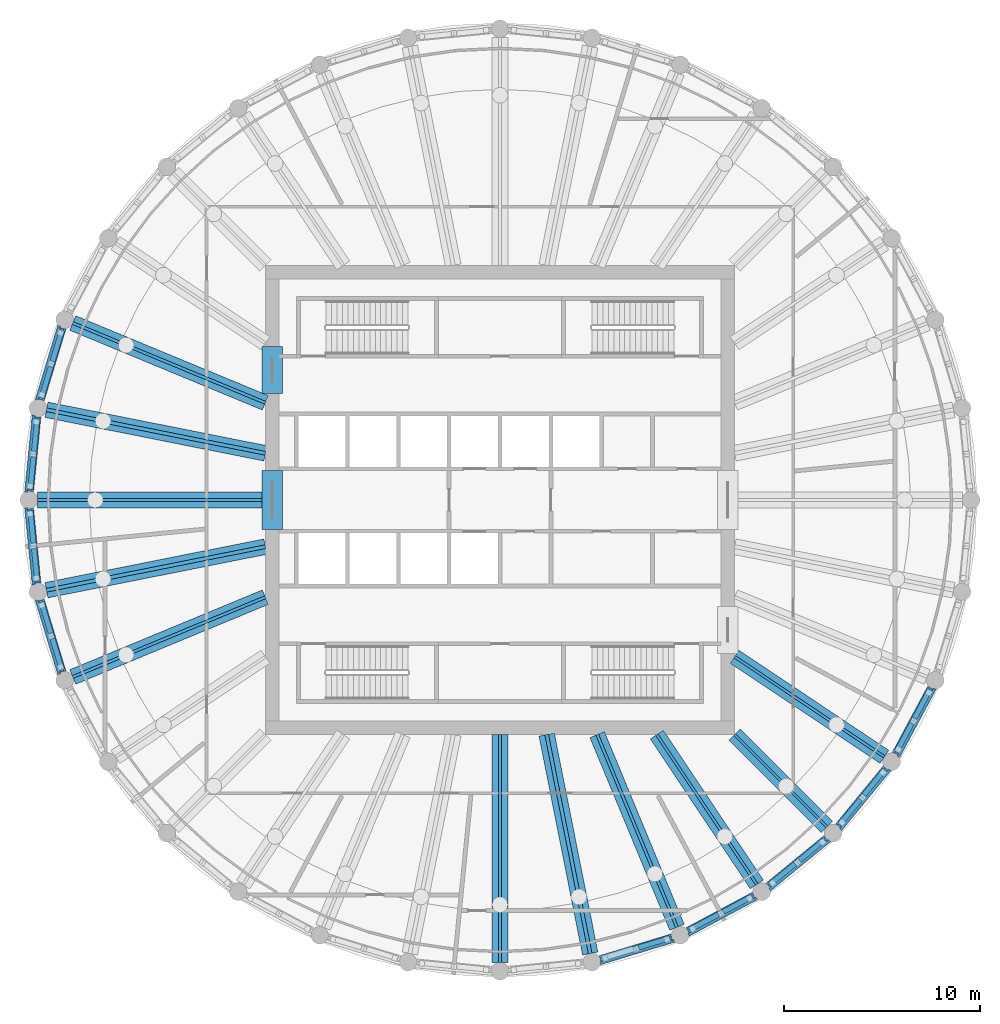
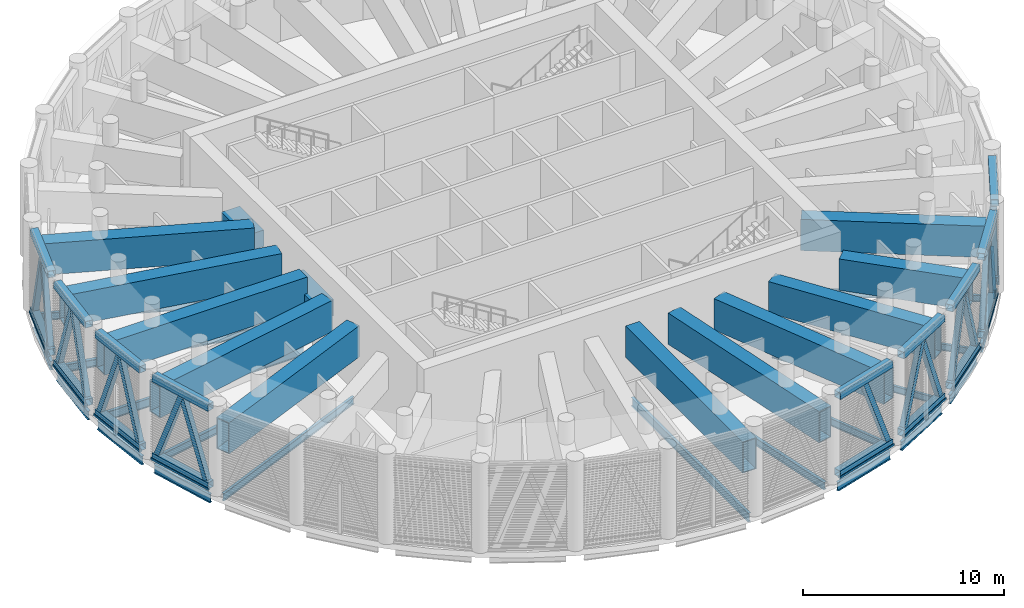
# One storey, part 2 of 19: 44 members, 33 beams, 9 elements without a shape of their own.
"""IFC4 building model written with IfcOpenShell, lengths in metres."""

from ifc_helpers import new_model, si_unit, direction, frame, origin, origin_2d, place, context, subcontext, project, spatial, rectangle, hollow_rectangle, i_section, extrude, material, material_profile, profile_set, type_object, element, aggregate, save


model = new_model("IFC4")

# Units and contexts
model_context = context("Model", 3, precision=1e-05, world=origin(), true_north=direction((0.0, 1.0)))
body_context = subcontext(model_context, "Body", "Model", "MODEL_VIEW")
ifc_project = project(units=[si_unit("LENGTHUNIT", "METRE"), si_unit("AREAUNIT", "SQUARE_METRE"), si_unit("VOLUMEUNIT", "CUBIC_METRE"), si_unit("PLANEANGLEUNIT", "RADIAN"), si_unit("MASSUNIT", "GRAM", prefix="KILO")], contexts=[model_context])

# Site, building, storey
site_placement = place(None, origin())
site = spatial("IfcSite", under=ifc_project, at=site_placement, CompositionType="ELEMENT")
building_placement = place(site_placement, origin())
building = spatial("IfcBuilding", under=site, at=building_placement, Name="Corvane Civic Tower", CompositionType="ELEMENT")
storey_placement = place(building_placement, frame((0.0, 0.0, 319.0)))
storey = spatial("IfcBuildingStorey", under=building, at=storey_placement, Name="L76", CompositionType="ELEMENT", Elevation=319.0)

# Members
ifc_material_1 = material(Name="Steel ASTM A500 Gr C", Category="steel")
ifc_material_profile_1 = material_profile(ifc_material_1, hollow_rectangle(XDim=0.406494140625, YDim=0.406494140625, WallThickness=0.0146484375, at=origin_2d()), Name="HSS16X16X5/8")
ifc_profile_set_1 = profile_set([ifc_material_profile_1], Name="Steel ASTM A500 Gr C")
member_type_1 = type_object("IfcMemberType", Name="BELT CHORD HSS16X16X5/8", PredefinedType="CHORD", material=ifc_profile_set_1)
for number, where, z_axis, x_axis, name in (
    (1, (22.05322265625, -9.61962890625, 4.94677734375), (-0.471409804487, -0.881914279413, 0.0), (0.881914279413, -0.471409804487, 0.0), "Belt truss BT-L76"),
    (2, (22.05322265625, -9.61962890625, 0.203125), (-0.471409804487, -0.881914279413, 0.0), (0.881914279413, -0.471409804487, 0.0), "Belt truss BT-L76"),
):
    element("IfcMember", number, at=place(storey_placement, frame(where, z_axis=z_axis, x_axis=x_axis)), inside=storey, type_object=member_type_1, Name=name, PredefinedType="CHORD", context=body_context, shape_type="SweptSolid", body=[
        extrude(hollow_rectangle(XDim=0.406494140625, YDim=0.406494140625, WallThickness=0.0146484375, at=origin_2d()), origin(), (0.0, 0.0, 1.0), 3.82421875),
    ])
for number, where, z_axis, x_axis, name in (
    (3, (19.7529296875, -13.737060546875, 4.94677734375), (-0.634408562057, -0.772997914867, 0.0), (0.772997914867, -0.634408562057, 0.0), "Belt truss BT-L76"),
    (4, (19.7529296875, -13.737060546875, 0.203125), (-0.634408562057, -0.772997914867, 0.0), (0.772997914867, -0.634408562057, 0.0), "Belt truss BT-L76"),
    (5, (16.693359375, -17.32666015625, 4.94677734375), (-0.772997914867, -0.634408562057, 0.0), (0.634408562057, -0.772997914867, 0.0), "Belt truss BT-L76"),
    (6, (16.693359375, -17.32666015625, 0.203125), (-0.772997914867, -0.634408562057, 0.0), (0.634408562057, -0.772997914867, 0.0), "Belt truss BT-L76"),
):
    element("IfcMember", number, at=place(storey_placement, frame(where, z_axis=z_axis, x_axis=x_axis)), inside=storey, type_object=member_type_1, Name=name, PredefinedType="CHORD", context=body_context, shape_type="SweptSolid", body=[
        extrude(hollow_rectangle(XDim=0.406494140625, YDim=0.406494140625, WallThickness=0.0146484375, at=origin_2d()), origin(), (0.0, 0.0, 1.0), 3.824462890625),
    ])
for number, where, z_axis, x_axis, name in (
    (7, (12.9921875, -20.25048828125, 4.94677734375), (-0.881914279413, -0.471409804487, 0.0), (0.471409804487, -0.881914279413, 0.0), "Belt truss BT-L76"),
    (8, (12.9921875, -20.25048828125, 0.203125), (-0.881914279413, -0.471409804487, 0.0), (0.471409804487, -0.881914279413, 0.0), "Belt truss BT-L76"),
):
    element("IfcMember", number, at=place(storey_placement, frame(where, z_axis=z_axis, x_axis=x_axis)), inside=storey, type_object=member_type_1, Name=name, PredefinedType="CHORD", context=body_context, shape_type="SweptSolid", body=[
        extrude(hollow_rectangle(XDim=0.406494140625, YDim=0.406494140625, WallThickness=0.0146484375, at=origin_2d()), origin(), (0.0, 0.0, 1.0), 3.82421875),
    ])
for number, where, z_axis, x_axis, name in (
    (9, (8.7919921875, -22.39599609375, 4.94677734375), (-0.95692555902, -0.290333385085, 0.0), (0.290333385085, -0.95692555902, 0.0), "Belt truss BT-L76"),
    (10, (8.7919921875, -22.39599609375, 0.203125), (-0.95692555902, -0.290333385085, 0.0), (0.290333385085, -0.95692555902, 0.0), "Belt truss BT-L76"),
    (11, (-22.39599609375, -8.7919921875, 4.94677734375), (-0.290333385085, 0.95692555902, 0.0), (-0.95692555902, -0.290333385085, 0.0), "Belt truss BT-L76"),
    (12, (-22.39599609375, -8.7919921875, 0.203125), (-0.290333385085, 0.95692555902, 0.0), (-0.95692555902, -0.290333385085, 0.0), "Belt truss BT-L76"),
    (13, (-23.68115234375, -4.25390625, 4.94677734375), (-0.097986732007, 0.995187721162, 0.0), (-0.995187721162, -0.097986732007, 0.0), "Belt truss BT-L76"),
    (14, (-23.68115234375, -4.25390625, 0.203125), (-0.097986732007, 0.995187721162, 0.0), (-0.995187721162, -0.097986732007, 0.0), "Belt truss BT-L76"),
    (15, (-24.055908203125, 0.44775390625, 4.94677734375), (0.097986732007, 0.995187721162, 0.0), (-0.995187721162, 0.097986732007, 0.0), "Belt truss BT-L76"),
    (16, (-24.055908203125, 0.44775390625, 0.203125), (0.097986732007, 0.995187721162, 0.0), (-0.995187721162, 0.097986732007, 0.0), "Belt truss BT-L76"),
    (17, (-23.50634765625, 5.13232421875, 4.94677734375), (0.290333385085, 0.95692555902, 0.0), (-0.95692555902, 0.290333385085, 0.0), "Belt truss BT-L76"),
    (18, (-23.50634765625, 5.13232421875, 0.203125), (0.290333385085, 0.95692555902, 0.0), (-0.95692555902, 0.290333385085, 0.0), "Belt truss BT-L76"),
):
    element("IfcMember", number, at=place(storey_placement, frame(where, z_axis=z_axis, x_axis=x_axis)), inside=storey, type_object=member_type_1, Name=name, PredefinedType="CHORD", context=body_context, shape_type="SweptSolid", body=[
        extrude(hollow_rectangle(XDim=0.406494140625, YDim=0.406494140625, WallThickness=0.0146484375, at=origin_2d()), origin(), (0.0, 0.0, 1.0), 3.824462890625),
    ])
ifc_material_2 = material(Name="Steel ASTM A500 Gr C", Category="steel")
ifc_material_profile_2 = material_profile(ifc_material_2, hollow_rectangle(XDim=0.3046875, YDim=0.3046875, WallThickness=0.01171875, at=origin_2d()), Name="HSS12X12X1/2")
ifc_profile_set_2 = profile_set([ifc_material_profile_2], Name="Steel ASTM A500 Gr C")
member_type_2 = type_object("IfcMemberType", Name="BELT DIAGONAL HSS12X12X1/2", PredefinedType="BRACE", material=ifc_profile_set_2)
for number, where, z_axis, x_axis, name in (
    (19, (21.935302734375, -9.840087890625, 0.406494140625), (-0.168675059844, -0.315588987007, 0.933783869783), (0.881933774385, -0.471373331446, 0.0), "Belt truss BT-L76"),
    (20, (20.368408203125, -12.771728515625, 0.406494140625), (0.168675059844, 0.315588987007, 0.933783869783), (-0.881933774385, 0.471373331446, 0.0), "Belt truss BT-L76"),
    (21, (19.59423828125, -13.93017578125, 0.406494140625), (-0.227014556134, -0.27668548819, 0.933760960808), (0.773086296565, -0.634300857687, 0.0), "Belt truss BT-L76"),
    (22, (17.4853515625, -16.500244140625, 0.406494140625), (0.227017857387, 0.276636949162, 0.93377453959), (-0.773027198038, 0.634372880168, 0.0), "Belt truss BT-L76"),
    (23, (16.500244140625, -17.4853515625, 0.406494140625), (-0.276636949162, -0.227017857387, 0.93377453959), (0.634372880168, -0.773027198038, 0.0), "Belt truss BT-L76"),
    (24, (13.93017578125, -19.59423828125, 0.406494140625), (0.27668548819, 0.227014556134, 0.933760960808), (-0.634300857687, 0.773086296565, 0.0), "Belt truss BT-L76"),
    (25, (12.771728515625, -20.368408203125, 0.406494140625), (-0.315588987007, -0.168675059844, 0.933783869783), (0.471373331446, -0.881933774385, 0.0), "Belt truss BT-L76"),
    (26, (9.840087890625, -21.935302734375, 0.406494140625), (0.315588987007, 0.168675059844, 0.933783869783), (-0.471373331446, 0.881933774385, 0.0), "Belt truss BT-L76"),
    (27, (8.552734375, -22.468505859375, 0.406494140625), (-0.34244493108, -0.103916136415, 0.93377347669), (0.29037833686, -0.956911919396, 0.0), "Belt truss BT-L76"),
    (28, (-22.468505859375, -8.552734375, 0.406494140625), (-0.103916136415, 0.34244493108, 0.93377347669), (-0.956911919396, -0.29037833686, 0.0), "Belt truss BT-L76"),
    (29, (-23.433837890625, -5.37158203125, 0.406494140625), (0.103916136415, -0.34244493108, 0.93377347669), (0.956911919396, 0.29037833686, 0.0), "Belt truss BT-L76"),
    (30, (-23.70556640625, -4.005126953125, 0.406494140625), (-0.035058955222, 0.356161140311, 0.933766625978), (-0.995190136957, -0.097962193234, 0.0), "Belt truss BT-L76"),
    (31, (-24.031494140625, -0.696533203125, 0.406494140625), (0.035111452623, -0.356160483497, 0.933764903972), (0.995175808043, 0.098107650498, 0.0), "Belt truss BT-L76"),
    (32, (-24.031494140625, 0.696533203125, 0.406494140625), (0.035111452623, 0.356160483497, 0.933764903972), (-0.995175808043, 0.098107650498, 0.0), "Belt truss BT-L76"),
    (33, (-23.70556640625, 4.005126953125, 0.406494140625), (-0.035058955222, -0.356161140311, 0.933766625978), (0.995190136957, -0.097962193234, 0.0), "Belt truss BT-L76"),
    (34, (-23.433837890625, 5.37158203125, 0.406494140625), (0.103916136415, 0.34244493108, 0.93377347669), (-0.956911919396, 0.29037833686, 0.0), "Belt truss BT-L76"),
    (35, (-22.468505859375, 8.552734375, 0.406494140625), (-0.103916136415, -0.34244493108, 0.93377347669), (0.956911919396, -0.29037833686, 0.0), "Belt truss BT-L76"),
):
    element("IfcMember", number, at=place(storey_placement, frame(where, z_axis=z_axis, x_axis=x_axis)), inside=storey, type_object=member_type_2, Name=name, PredefinedType="BRACE", context=body_context, shape_type="SweptSolid", body=[
        extrude(hollow_rectangle(XDim=0.3046875, YDim=0.3046875, WallThickness=0.01171875, at=origin_2d()), origin(), (0.0, 0.0, 1.0), 4.644775390625),
    ])

# Beams
ifc_material_3 = material(Name="Concrete C40/50", Category="concrete")
ifc_material_profile_3 = material_profile(ifc_material_3, rectangle(XDim=1.050048828125, YDim=1.0, at=origin_2d()), Name="COUPLING BEAM 1050X1000")
ifc_profile_set_3 = profile_set([ifc_material_profile_3], Name="Concrete C40/50")
beam_type_1 = type_object("IfcBeamType", Name="COUPLING BEAM COUPLING BEAM 1050X1000", PredefinedType="BEAM", material=ifc_profile_set_3)
beam_1_placement = place(storey_placement, frame((-11.64990234375, -1.5, 2.60009765625), z_axis=(0.0, 1.0, 0.0), x_axis=(-1.0, 0.0, 0.0)))
element("IfcBeam", 36, at=beam_1_placement, inside=storey, type_object=beam_type_1, Name="BM-L76-cpl-CW-LW", PredefinedType="BEAM", context=body_context, shape_type="SweptSolid", body=[
    extrude(rectangle(XDim=1.050048828125, YDim=1.0, at=origin_2d()), origin(), (0.0, 0.0, 1.0), 3.0),
])
beam_2_placement = place(storey_placement, frame((-11.64990234375, 5.449951171875, 2.60009765625), z_axis=(0.0, 1.0, 0.0), x_axis=(-1.0, 0.0, 0.0)))
element("IfcBeam", 37, at=beam_2_placement, inside=storey, type_object=beam_type_1, Name="BM-L76-cpl-CW-WN", PredefinedType="BEAM", context=body_context, shape_type="SweptSolid", body=[
    extrude(rectangle(XDim=1.050048828125, YDim=1.0, at=origin_2d()), origin(), (0.0, 0.0, 1.0), 2.400146484375),
])
ifc_material_4 = material(Name="Steel ASTM A992 Gr 50", Category="steel")
ifc_material_profile_4 = material_profile(ifc_material_4, i_section(OverallWidth=0.165771484375, OverallDepth=0.5283203125, WebThickness=0.009765625, FlangeThickness=0.013671875, at=origin_2d()), Name="W21X50")
ifc_profile_set_4 = profile_set([ifc_material_profile_4], Name="Steel ASTM A992 Gr 50")
beam_type_2 = type_object("IfcBeamType", Name="EDGE BEAM W21X50", PredefinedType="BEAM", material=ifc_profile_set_4)
beam_3_placement = place(storey_placement, frame((22.05322265625, -9.61962890625, -0.6142578125), z_axis=(-0.471409804487, -0.881914279413, 0.0), x_axis=(0.881914279413, -0.471409804487, 0.0)))
element("IfcBeam", 38, at=beam_3_placement, inside=storey, type_object=beam_type_2, Name="BM-L76-E11", PredefinedType="BEAM", context=body_context, shape_type="SweptSolid", body=[
    extrude(i_section(OverallWidth=0.165771484375, OverallDepth=0.5283203125, WebThickness=0.009765625, FlangeThickness=0.013671875, at=origin_2d()), origin(), (0.0, 0.0, 1.0), 3.82421875),
])
for number, where, z_axis, x_axis, name in (
    (39, (19.7529296875, -13.737060546875, -0.6142578125), (-0.634408562057, -0.772997914867, 0.0), (0.772997914867, -0.634408562057, 0.0), "BM-L76-E12"),
    (40, (16.693359375, -17.32666015625, -0.6142578125), (-0.772997914867, -0.634408562057, 0.0), (0.634408562057, -0.772997914867, 0.0), "BM-L76-E13"),
):
    element("IfcBeam", number, at=place(storey_placement, frame(where, z_axis=z_axis, x_axis=x_axis)), inside=storey, type_object=beam_type_2, Name=name, PredefinedType="BEAM", context=body_context, shape_type="SweptSolid", body=[
        extrude(i_section(OverallWidth=0.165771484375, OverallDepth=0.5283203125, WebThickness=0.009765625, FlangeThickness=0.013671875, at=origin_2d()), origin(), (0.0, 0.0, 1.0), 3.824462890625),
    ])
beam_4_placement = place(storey_placement, frame((12.9921875, -20.25048828125, -0.6142578125), z_axis=(-0.881914279413, -0.471409804487, 0.0), x_axis=(0.471409804487, -0.881914279413, 0.0)))
element("IfcBeam", 41, at=beam_4_placement, inside=storey, type_object=beam_type_2, Name="BM-L76-E14", PredefinedType="BEAM", context=body_context, shape_type="SweptSolid", body=[
    extrude(i_section(OverallWidth=0.165771484375, OverallDepth=0.5283203125, WebThickness=0.009765625, FlangeThickness=0.013671875, at=origin_2d()), origin(), (0.0, 0.0, 1.0), 3.82421875),
])
for number, where, z_axis, x_axis, name in (
    (42, (8.7919921875, -22.39599609375, -0.6142578125), (-0.95692555902, -0.290333385085, 0.0), (0.290333385085, -0.95692555902, 0.0), "BM-L76-E15"),
    (43, (-22.39599609375, -8.7919921875, -0.6142578125), (-0.290333385085, 0.95692555902, 0.0), (-0.95692555902, -0.290333385085, 0.0), "BM-L76-E23"),
    (44, (-23.68115234375, -4.25390625, -0.6142578125), (-0.097986732007, 0.995187721162, 0.0), (-0.995187721162, -0.097986732007, 0.0), "BM-L76-E24"),
    (45, (-24.055908203125, 0.44775390625, -0.6142578125), (0.097986732007, 0.995187721162, 0.0), (-0.995187721162, 0.097986732007, 0.0), "BM-L76-E25"),
    (46, (-23.50634765625, 5.13232421875, -0.6142578125), (0.290333385085, 0.95692555902, 0.0), (-0.95692555902, 0.290333385085, 0.0), "BM-L76-E26"),
):
    element("IfcBeam", number, at=place(storey_placement, frame(where, z_axis=z_axis, x_axis=x_axis)), inside=storey, type_object=beam_type_2, Name=name, PredefinedType="BEAM", context=body_context, shape_type="SweptSolid", body=[
        extrude(i_section(OverallWidth=0.165771484375, OverallDepth=0.5283203125, WebThickness=0.009765625, FlangeThickness=0.013671875, at=origin_2d()), origin(), (0.0, 0.0, 1.0), 3.824462890625),
    ])
ifc_material_5 = material(Name="Steel ASTM A992 Gr 50", Category="steel")
ifc_material_profile_5 = material_profile(ifc_material_5, i_section(OverallWidth=0.140380859375, OverallDepth=0.40380859375, WebThickness=0.007080078125, FlangeThickness=0.01123046875, at=origin_2d()), Name="W16X31")
ifc_profile_set_5 = profile_set([ifc_material_profile_5], Name="Steel ASTM A992 Gr 50")
beam_type_3 = type_object("IfcBeamType", Name="FLOOR GIRDER W16X31", PredefinedType="BEAM", material=ifc_profile_set_5)
beam_5_placement = place(storey_placement, frame((12.0, -8.01806640625, -0.552001953125), z_axis=(0.831471227061, -0.555567816355, 0.0), x_axis=(0.555567816355, 0.831471227061, 0.0)))
element("IfcBeam", 47, at=beam_5_placement, inside=storey, type_object=beam_type_3, Name="BM-L76-G12", PredefinedType="BEAM", context=body_context, shape_type="SweptSolid", body=[
    extrude(i_section(OverallWidth=0.140380859375, OverallDepth=0.40380859375, WebThickness=0.007080078125, FlangeThickness=0.01123046875, at=origin_2d()), origin(), (0.0, 0.0, 1.0), 9.2177734375),
])
beam_6_placement = place(storey_placement, frame((12.0, -12.0, -0.552001953125), z_axis=(0.707106781187, -0.707106781187, 0.0), x_axis=(0.707106781187, 0.707106781187, 0.0)))
element("IfcBeam", 48, at=beam_6_placement, inside=storey, type_object=beam_type_3, Name="BM-L76-G13", PredefinedType="BEAM", context=body_context, shape_type="SweptSolid", body=[
    extrude(i_section(OverallWidth=0.140380859375, OverallDepth=0.40380859375, WebThickness=0.007080078125, FlangeThickness=0.01123046875, at=origin_2d()), origin(), (0.0, 0.0, 1.0), 6.679443359375),
])
beam_7_placement = place(storey_placement, frame((8.01806640625, -12.0, -0.552001953125), z_axis=(0.555567816355, -0.831471227061, 0.0), x_axis=(0.831471227061, 0.555567816355, 0.0)))
element("IfcBeam", 49, at=beam_7_placement, inside=storey, type_object=beam_type_3, Name="BM-L76-G14", PredefinedType="BEAM", context=body_context, shape_type="SweptSolid", body=[
    extrude(i_section(OverallWidth=0.140380859375, OverallDepth=0.40380859375, WebThickness=0.007080078125, FlangeThickness=0.01123046875, at=origin_2d()), origin(), (0.0, 0.0, 1.0), 9.2177734375),
])
ifc_material_6 = material(Name="Steel ASTM A992 Gr 50", Category="steel")
ifc_material_profile_6 = material_profile(ifc_material_6, i_section(OverallWidth=0.15283203125, OverallDepth=0.45458984375, WebThickness=0.008056640625, FlangeThickness=0.013427734375, at=origin_2d()), Name="W18X40")
ifc_profile_set_6 = profile_set([ifc_material_profile_6], Name="Steel ASTM A992 Gr 50")
beam_type_4 = type_object("IfcBeamType", Name="FLOOR GIRDER W18X40", PredefinedType="BEAM", material=ifc_profile_set_6)
for number, where, z_axis, x_axis, name in (
    (50, (4.970458984375, -12.0, -0.577392578125), (0.382694257331, -0.923875048589, 0.0), (0.923875048589, 0.382694257331, 0.0), "BM-L76-G15"),
    (51, (-12.0, -4.970458984375, -0.577392578125), (-0.923875048589, -0.382694257331, 0.0), (0.382694257331, -0.923875048589, 0.0), "BM-L76-G23"),
    (52, (-12.0, 4.970458984375, -0.577392578125), (-0.923875048589, 0.382694257331, 0.0), (-0.382694257331, -0.923875048589, 0.0), "BM-L76-G27"),
):
    element("IfcBeam", number, at=place(storey_placement, frame(where, z_axis=z_axis, x_axis=x_axis)), inside=storey, type_object=beam_type_4, Name=name, PredefinedType="BEAM", context=body_context, shape_type="SweptSolid", body=[
        extrude(i_section(OverallWidth=0.15283203125, OverallDepth=0.45458984375, WebThickness=0.008056640625, FlangeThickness=0.013427734375, at=origin_2d()), origin(), (0.0, 0.0, 1.0), 10.661376953125),
    ])
ifc_material_7 = material(Name="Steel ASTM A992 Gr 50", Category="steel")
ifc_material_profile_7 = material_profile(ifc_material_7, i_section(OverallWidth=0.1904296875, OverallDepth=0.457275390625, WebThickness=0.009033203125, FlangeThickness=0.014404296875, at=origin_2d()), Name="W18X50")
ifc_profile_set_7 = profile_set([ifc_material_profile_7], Name="Steel ASTM A992 Gr 50")
beam_type_5 = type_object("IfcBeamType", Name="FLOOR GIRDER W18X50", PredefinedType="BEAM", material=ifc_profile_set_7)
for number, where, z_axis, x_axis, name in (
    (53, (2.386962890625, -12.0, -0.57861328125), (0.195079532402, -0.980787426529, 0.0), (0.980787426529, 0.195079532402, 0.0), "BM-L76-G16"),
    (54, (-12.0, -2.386962890625, -0.57861328125), (-0.980787426529, -0.195079532402, 0.0), (0.195079532402, -0.980787426529, 0.0), "BM-L76-G24"),
    (55, (-12.0, 2.386962890625, -0.57861328125), (-0.980787426529, 0.195079532402, 0.0), (-0.195079532402, -0.980787426529, 0.0), "BM-L76-G26"),
):
    element("IfcBeam", number, at=place(storey_placement, frame(where, z_axis=z_axis, x_axis=x_axis)), inside=storey, type_object=beam_type_5, Name=name, PredefinedType="BEAM", context=body_context, shape_type="SweptSolid", body=[
        extrude(i_section(OverallWidth=0.1904296875, OverallDepth=0.457275390625, WebThickness=0.009033203125, FlangeThickness=0.014404296875, at=origin_2d()), origin(), (0.0, 0.0, 1.0), 11.414794921875),
    ])
ifc_material_8 = material(Name="Steel ASTM A992 Gr 50", Category="steel")
ifc_material_profile_8 = material_profile(ifc_material_8, i_section(OverallWidth=0.165771484375, OverallDepth=0.5283203125, WebThickness=0.009765625, FlangeThickness=0.013671875, at=origin_2d()), Name="W21X50")
ifc_profile_set_8 = profile_set([ifc_material_profile_8], Name="Steel ASTM A992 Gr 50")
beam_type_6 = type_object("IfcBeamType", Name="FLOOR GIRDER W21X50", PredefinedType="BEAM", material=ifc_profile_set_8)
for number, where, z_axis, x_axis, name in (
    (56, (0.0, -12.0, -0.6142578125), (0.0, -1.0, 0.0), (1.0, 0.0, 0.0), "BM-L76-G17"),
    (57, (-12.0, 0.0, -0.6142578125), (-1.0, 0.0, 0.0), (0.0, -1.0, 0.0), "BM-L76-G25"),
):
    element("IfcBeam", number, at=place(storey_placement, frame(where, z_axis=z_axis, x_axis=x_axis)), inside=storey, type_object=beam_type_6, Name=name, PredefinedType="BEAM", context=body_context, shape_type="SweptSolid", body=[
        extrude(i_section(OverallWidth=0.165771484375, OverallDepth=0.5283203125, WebThickness=0.009765625, FlangeThickness=0.013671875, at=origin_2d()), origin(), (0.0, 0.0, 1.0), 11.64990234375),
    ])

# Curtain wall, member
ifc_material_9 = material(Name="Anodised aluminium bronze", Category="aluminium")
curtain_wall_type = type_object("IfcCurtainWallType", Name="TOWER CW-LV LOUVRE SCREEN WALL", PredefinedType="NOTDEFINED", material=ifc_material_9)
curtain_wall_1_placement = place(storey_placement, origin())
curtain_wall_1 = element("IfcCurtainWall", 58, at=curtain_wall_1_placement, inside=storey, type_object=curtain_wall_type, Name="Louvre screen wall CW-LV L76 bay 11", PredefinedType="NOTDEFINED")
ifc_material_10 = material(Name="Anodised aluminium bronze", Category="aluminium")
ifc_material_profile_9 = material_profile(ifc_material_10, rectangle(XDim=0.139892578125, YDim=0.1201171875, at=origin_2d()), Name="TOWER CW-LV TRANSOM 140x120")
ifc_profile_set_9 = profile_set([ifc_material_profile_9], Name="Anodised aluminium bronze")
member_type_3 = type_object("IfcMemberType", Name="TOWER CW-LV TRANSOM 140x120", PredefinedType="USERDEFINED", material=ifc_profile_set_9)
member_1_placement = place(storey_placement, frame((22.2431640625, -9.644775390625, 0.06005859375), z_axis=(-0.471468241052, -0.881883040816, 0.0), x_axis=(0.881883040816, -0.471468241052, 0.0)))
member_1 = element("IfcMember", 59, at=member_1_placement, type_object=member_type_3, Name="Transom CW-LV L76 11.1", ObjectType="TRANSOM", PredefinedType="USERDEFINED", context=body_context, shape_type="SweptSolid", body=[
    extrude(rectangle(XDim=0.139892578125, YDim=0.1201171875, at=origin_2d()), origin(), (0.0, 0.0, 1.0), 3.958740234375),
])
aggregate(curtain_wall_1, [member_1])

curtain_wall_2_placement = place(storey_placement, origin())
curtain_wall_2 = element("IfcCurtainWall", 60, at=curtain_wall_2_placement, inside=storey, type_object=curtain_wall_type, Name="Louvre screen wall CW-LV L76 bay 12", PredefinedType="NOTDEFINED")
member_2_placement = place(storey_placement, frame((19.93408203125, -13.798828125, 0.06005859375), z_axis=(-0.634415838373, -0.772991943051, 0.0), x_axis=(0.772991943051, -0.634415838373, 0.0)))
member_2 = element("IfcMember", 61, at=member_2_placement, type_object=member_type_3, Name="Transom CW-LV L76 12.1", ObjectType="TRANSOM", PredefinedType="USERDEFINED", context=body_context, shape_type="SweptSolid", body=[
    extrude(rectangle(XDim=0.139892578125, YDim=0.1201171875, at=origin_2d()), origin(), (0.0, 0.0, 1.0), 3.958740234375),
])
aggregate(curtain_wall_2, [member_2])

curtain_wall_3_placement = place(storey_placement, origin())
curtain_wall_3 = element("IfcCurtainWall", 62, at=curtain_wall_3_placement, inside=storey, type_object=curtain_wall_type, Name="Louvre screen wall CW-LV L76 bay 13", PredefinedType="NOTDEFINED")
member_3_placement = place(storey_placement, frame((16.85888671875, -17.422607421875, 0.06005859375), z_axis=(-0.772991943051, -0.634415838373, 0.0), x_axis=(0.634415838373, -0.772991943051, 0.0)))
member_3 = element("IfcMember", 63, at=member_3_placement, type_object=member_type_3, Name="Transom CW-LV L76 13.1", ObjectType="TRANSOM", PredefinedType="USERDEFINED", context=body_context, shape_type="SweptSolid", body=[
    extrude(rectangle(XDim=0.139892578125, YDim=0.1201171875, at=origin_2d()), origin(), (0.0, 0.0, 1.0), 3.958740234375),
])
aggregate(curtain_wall_3, [member_3])

curtain_wall_4_placement = place(storey_placement, origin())
curtain_wall_4 = element("IfcCurtainWall", 64, at=curtain_wall_4_placement, inside=storey, type_object=curtain_wall_type, Name="Louvre screen wall CW-LV L76 bay 14", PredefinedType="NOTDEFINED")
member_4_placement = place(storey_placement, frame((13.135986328125, -20.376708984375, 0.06005859375), z_axis=(-0.881883040816, -0.471468241052, 0.0), x_axis=(0.471468241052, -0.881883040816, 0.0)))
member_4 = element("IfcMember", 65, at=member_4_placement, type_object=member_type_3, Name="Transom CW-LV L76 14.1", ObjectType="TRANSOM", PredefinedType="USERDEFINED", context=body_context, shape_type="SweptSolid", body=[
    extrude(rectangle(XDim=0.139892578125, YDim=0.1201171875, at=origin_2d()), origin(), (0.0, 0.0, 1.0), 3.958740234375),
])
aggregate(curtain_wall_4, [member_4])

curtain_wall_5_placement = place(storey_placement, origin())
curtain_wall_5 = element("IfcCurtainWall", 66, at=curtain_wall_5_placement, inside=storey, type_object=curtain_wall_type, Name="Louvre screen wall CW-LV L76 bay 15", PredefinedType="NOTDEFINED")
member_5_placement = place(storey_placement, frame((8.908447265625, -22.548095703125, 0.06005859375), z_axis=(-0.956946054205, -0.290265825309, 0.0), x_axis=(0.290265825309, -0.956946054205, 0.0)))
member_5 = element("IfcMember", 67, at=member_5_placement, type_object=member_type_3, Name="Transom CW-LV L76 15.1", ObjectType="TRANSOM", PredefinedType="USERDEFINED", context=body_context, shape_type="SweptSolid", body=[
    extrude(rectangle(XDim=0.139892578125, YDim=0.1201171875, at=origin_2d()), origin(), (0.0, 0.0, 1.0), 3.958984375),
])
aggregate(curtain_wall_5, [member_5])

curtain_wall_6_placement = place(storey_placement, origin())
curtain_wall_6 = element("IfcCurtainWall", 68, at=curtain_wall_6_placement, inside=storey, type_object=curtain_wall_type, Name="Louvre screen wall CW-LV L76 bay 23", PredefinedType="NOTDEFINED")
member_6_placement = place(storey_placement, frame((-22.548095703125, -8.908447265625, 0.06005859375), z_axis=(-0.290265825309, 0.956946054205, 0.0), x_axis=(-0.956946054205, -0.290265825309, 0.0)))
member_6 = element("IfcMember", 69, at=member_6_placement, type_object=member_type_3, Name="Transom CW-LV L76 23.1", ObjectType="TRANSOM", PredefinedType="USERDEFINED", context=body_context, shape_type="SweptSolid", body=[
    extrude(rectangle(XDim=0.139892578125, YDim=0.1201171875, at=origin_2d()), origin(), (0.0, 0.0, 1.0), 3.958984375),
])
aggregate(curtain_wall_6, [member_6])

curtain_wall_7_placement = place(storey_placement, origin())
curtain_wall_7 = element("IfcCurtainWall", 70, at=curtain_wall_7_placement, inside=storey, type_object=curtain_wall_type, Name="Louvre screen wall CW-LV L76 bay 24", PredefinedType="NOTDEFINED")
member_7_placement = place(storey_placement, frame((-23.852783203125, -4.338134765625, 0.06005859375), z_axis=(-0.097995409999, 0.995186866683, 0.0), x_axis=(-0.995186866683, -0.097995409999, 0.0)))
member_7 = element("IfcMember", 71, at=member_7_placement, type_object=member_type_3, Name="Transom CW-LV L76 24.1", ObjectType="TRANSOM", PredefinedType="USERDEFINED", context=body_context, shape_type="SweptSolid", body=[
    extrude(rectangle(XDim=0.139892578125, YDim=0.1201171875, at=origin_2d()), origin(), (0.0, 0.0, 1.0), 3.958740234375),
])
aggregate(curtain_wall_7, [member_7])

curtain_wall_8_placement = place(storey_placement, origin())
curtain_wall_8 = element("IfcCurtainWall", 72, at=curtain_wall_8_placement, inside=storey, type_object=curtain_wall_type, Name="Louvre screen wall CW-LV L76 bay 25", PredefinedType="NOTDEFINED")
member_8_placement = place(storey_placement, frame((-24.24072265625, 0.3984375, 0.06005859375), z_axis=(0.097995409999, 0.995186866683, 0.0), x_axis=(-0.995186866683, 0.097995409999, 0.0)))
member_8 = element("IfcMember", 73, at=member_8_placement, type_object=member_type_3, Name="Transom CW-LV L76 25.1", ObjectType="TRANSOM", PredefinedType="USERDEFINED", context=body_context, shape_type="SweptSolid", body=[
    extrude(rectangle(XDim=0.139892578125, YDim=0.1201171875, at=origin_2d()), origin(), (0.0, 0.0, 1.0), 3.958740234375),
])
aggregate(curtain_wall_8, [member_8])

curtain_wall_9_placement = place(storey_placement, origin())
curtain_wall_9 = element("IfcCurtainWall", 74, at=curtain_wall_9_placement, inside=storey, type_object=curtain_wall_type, Name="Louvre screen wall CW-LV L76 bay 26", PredefinedType="NOTDEFINED")
member_9_placement = place(storey_placement, frame((-23.697265625, 5.119873046875, 0.06005859375), z_axis=(0.290265825309, 0.956946054205, 0.0), x_axis=(-0.956946054205, 0.290265825309, 0.0)))
member_9 = element("IfcMember", 75, at=member_9_placement, type_object=member_type_3, Name="Transom CW-LV L76 26.1", ObjectType="TRANSOM", PredefinedType="USERDEFINED", context=body_context, shape_type="SweptSolid", body=[
    extrude(rectangle(XDim=0.139892578125, YDim=0.1201171875, at=origin_2d()), origin(), (0.0, 0.0, 1.0), 3.958984375),
])
aggregate(curtain_wall_9, [member_9])

# Beams
ifc_material_11 = material(Name="Steel ASTM A572 Gr 50", Category="steel")
ifc_material_profile_10 = material_profile(ifc_material_11, hollow_rectangle(XDim=0.800048828125, YDim=1.89990234375, WallThickness=0.050048828125, at=origin_2d()), Name="BOX1900X800X50")
ifc_profile_set_10 = profile_set([ifc_material_profile_10], Name="Steel ASTM A572 Gr 50")
beam_type_7 = type_object("IfcBeamType", Name="TRANSFER GIRDER BOX1900X800X50", PredefinedType="BEAM", material=ifc_profile_set_10)
beam_8_placement = place(storey_placement, frame((12.0, -8.01806640625, 3.14990234375), z_axis=(0.831471227061, -0.555567816355, 0.0), x_axis=(0.555567816355, 0.831471227061, 0.0)))
element("IfcBeam", 76, at=beam_8_placement, inside=storey, type_object=beam_type_7, Name="Transfer girder TG-L76-12", PredefinedType="BEAM", context=body_context, shape_type="SweptSolid", body=[
    extrude(hollow_rectangle(XDim=0.800048828125, YDim=1.89990234375, WallThickness=0.050048828125, at=origin_2d()), origin(), (0.0, 0.0, 1.0), 9.2177734375),
])
beam_9_placement = place(storey_placement, frame((12.0, -12.0, 3.14990234375), z_axis=(0.707106781187, -0.707106781187, 0.0), x_axis=(0.707106781187, 0.707106781187, 0.0)))
element("IfcBeam", 77, at=beam_9_placement, inside=storey, type_object=beam_type_7, Name="Transfer girder TG-L76-13", PredefinedType="BEAM", context=body_context, shape_type="SweptSolid", body=[
    extrude(hollow_rectangle(XDim=0.800048828125, YDim=1.89990234375, WallThickness=0.050048828125, at=origin_2d()), origin(), (0.0, 0.0, 1.0), 6.679443359375),
])
beam_10_placement = place(storey_placement, frame((8.01806640625, -12.0, 3.14990234375), z_axis=(0.555567816355, -0.831471227061, 0.0), x_axis=(0.831471227061, 0.555567816355, 0.0)))
element("IfcBeam", 78, at=beam_10_placement, inside=storey, type_object=beam_type_7, Name="Transfer girder TG-L76-14", PredefinedType="BEAM", context=body_context, shape_type="SweptSolid", body=[
    extrude(hollow_rectangle(XDim=0.800048828125, YDim=1.89990234375, WallThickness=0.050048828125, at=origin_2d()), origin(), (0.0, 0.0, 1.0), 9.2177734375),
])
beam_11_placement = place(storey_placement, frame((4.970458984375, -12.0, 3.14990234375), z_axis=(0.382694257331, -0.923875048589, 0.0), x_axis=(0.923875048589, 0.382694257331, 0.0)))
element("IfcBeam", 79, at=beam_11_placement, inside=storey, type_object=beam_type_7, Name="Transfer girder TG-L76-15", PredefinedType="BEAM", context=body_context, shape_type="SweptSolid", body=[
    extrude(hollow_rectangle(XDim=0.800048828125, YDim=1.89990234375, WallThickness=0.050048828125, at=origin_2d()), origin(), (0.0, 0.0, 1.0), 10.661376953125),
])
beam_12_placement = place(storey_placement, frame((2.386962890625, -12.0, 3.14990234375), z_axis=(0.195079532402, -0.980787426529, 0.0), x_axis=(0.980787426529, 0.195079532402, 0.0)))
element("IfcBeam", 80, at=beam_12_placement, inside=storey, type_object=beam_type_7, Name="Transfer girder TG-L76-16", PredefinedType="BEAM", context=body_context, shape_type="SweptSolid", body=[
    extrude(hollow_rectangle(XDim=0.800048828125, YDim=1.89990234375, WallThickness=0.050048828125, at=origin_2d()), origin(), (0.0, 0.0, 1.0), 11.414794921875),
])
beam_13_placement = place(storey_placement, frame((0.0, -12.0, 3.14990234375), z_axis=(0.0, -1.0, 0.0), x_axis=(1.0, 0.0, 0.0)))
element("IfcBeam", 81, at=beam_13_placement, inside=storey, type_object=beam_type_7, Name="Transfer girder TG-L76-17", PredefinedType="BEAM", context=body_context, shape_type="SweptSolid", body=[
    extrude(hollow_rectangle(XDim=0.800048828125, YDim=1.89990234375, WallThickness=0.050048828125, at=origin_2d()), origin(), (0.0, 0.0, 1.0), 11.64990234375),
])
beam_14_placement = place(storey_placement, frame((-12.0, -4.970458984375, 3.14990234375), z_axis=(-0.923875048589, -0.382694257331, 0.0), x_axis=(0.382694257331, -0.923875048589, 0.0)))
element("IfcBeam", 82, at=beam_14_placement, inside=storey, type_object=beam_type_7, Name="Transfer girder TG-L76-23", PredefinedType="BEAM", context=body_context, shape_type="SweptSolid", body=[
    extrude(hollow_rectangle(XDim=0.800048828125, YDim=1.89990234375, WallThickness=0.050048828125, at=origin_2d()), origin(), (0.0, 0.0, 1.0), 10.661376953125),
])
beam_15_placement = place(storey_placement, frame((-12.0, -2.386962890625, 3.14990234375), z_axis=(-0.980787426529, -0.195079532402, 0.0), x_axis=(0.195079532402, -0.980787426529, 0.0)))
element("IfcBeam", 83, at=beam_15_placement, inside=storey, type_object=beam_type_7, Name="Transfer girder TG-L76-24", PredefinedType="BEAM", context=body_context, shape_type="SweptSolid", body=[
    extrude(hollow_rectangle(XDim=0.800048828125, YDim=1.89990234375, WallThickness=0.050048828125, at=origin_2d()), origin(), (0.0, 0.0, 1.0), 11.414794921875),
])
beam_16_placement = place(storey_placement, frame((-12.0, 0.0, 3.14990234375), z_axis=(-1.0, 0.0, 0.0), x_axis=(0.0, -1.0, 0.0)))
element("IfcBeam", 84, at=beam_16_placement, inside=storey, type_object=beam_type_7, Name="Transfer girder TG-L76-25", PredefinedType="BEAM", context=body_context, shape_type="SweptSolid", body=[
    extrude(hollow_rectangle(XDim=0.800048828125, YDim=1.89990234375, WallThickness=0.050048828125, at=origin_2d()), origin(), (0.0, 0.0, 1.0), 11.64990234375),
])
beam_17_placement = place(storey_placement, frame((-12.0, 2.386962890625, 3.14990234375), z_axis=(-0.980787426529, 0.195079532402, 0.0), x_axis=(-0.195079532402, -0.980787426529, 0.0)))
element("IfcBeam", 85, at=beam_17_placement, inside=storey, type_object=beam_type_7, Name="Transfer girder TG-L76-26", PredefinedType="BEAM", context=body_context, shape_type="SweptSolid", body=[
    extrude(hollow_rectangle(XDim=0.800048828125, YDim=1.89990234375, WallThickness=0.050048828125, at=origin_2d()), origin(), (0.0, 0.0, 1.0), 11.414794921875),
])
beam_18_placement = place(storey_placement, frame((-12.0, 4.970458984375, 3.14990234375), z_axis=(-0.923875048589, 0.382694257331, 0.0), x_axis=(-0.382694257331, -0.923875048589, 0.0)))
element("IfcBeam", 86, at=beam_18_placement, inside=storey, type_object=beam_type_7, Name="Transfer girder TG-L76-27", PredefinedType="BEAM", context=body_context, shape_type="SweptSolid", body=[
    extrude(hollow_rectangle(XDim=0.800048828125, YDim=1.89990234375, WallThickness=0.050048828125, at=origin_2d()), origin(), (0.0, 0.0, 1.0), 10.661376953125),
])

save(model, "model.ifc")
